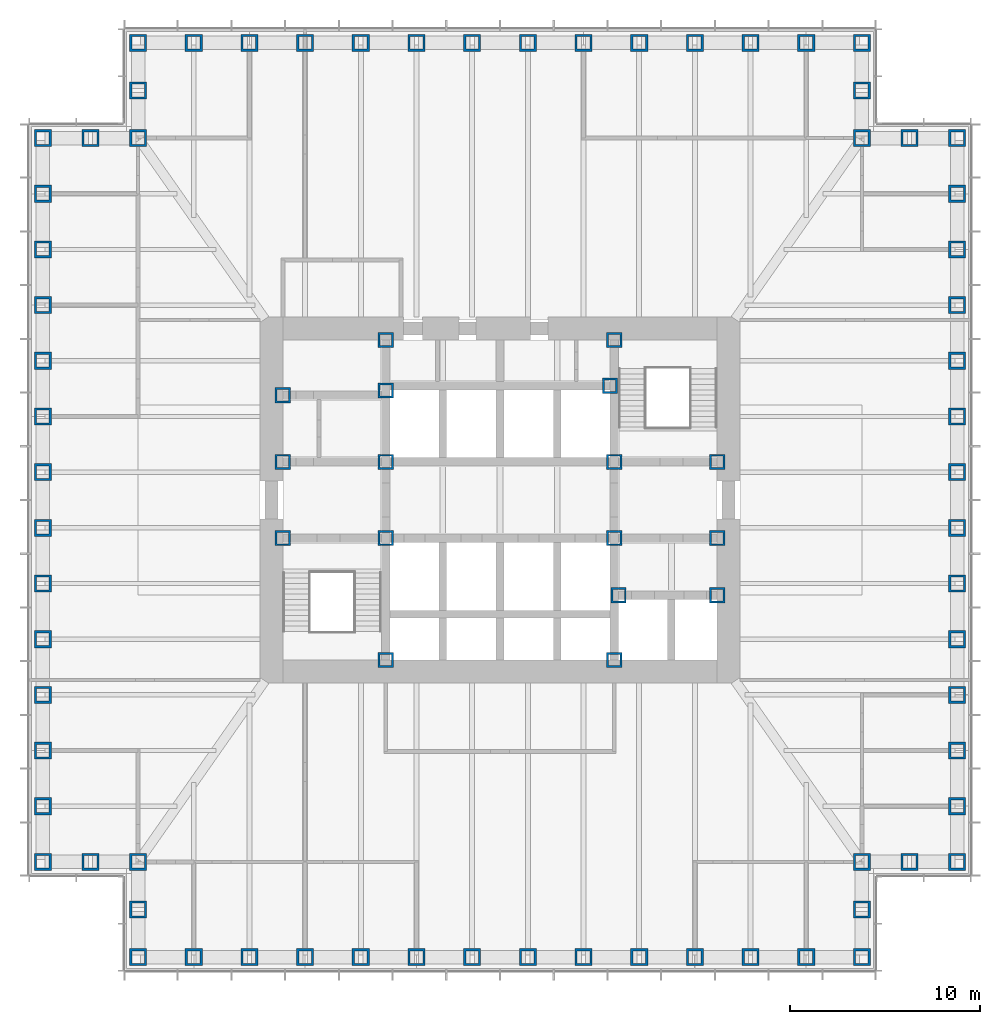
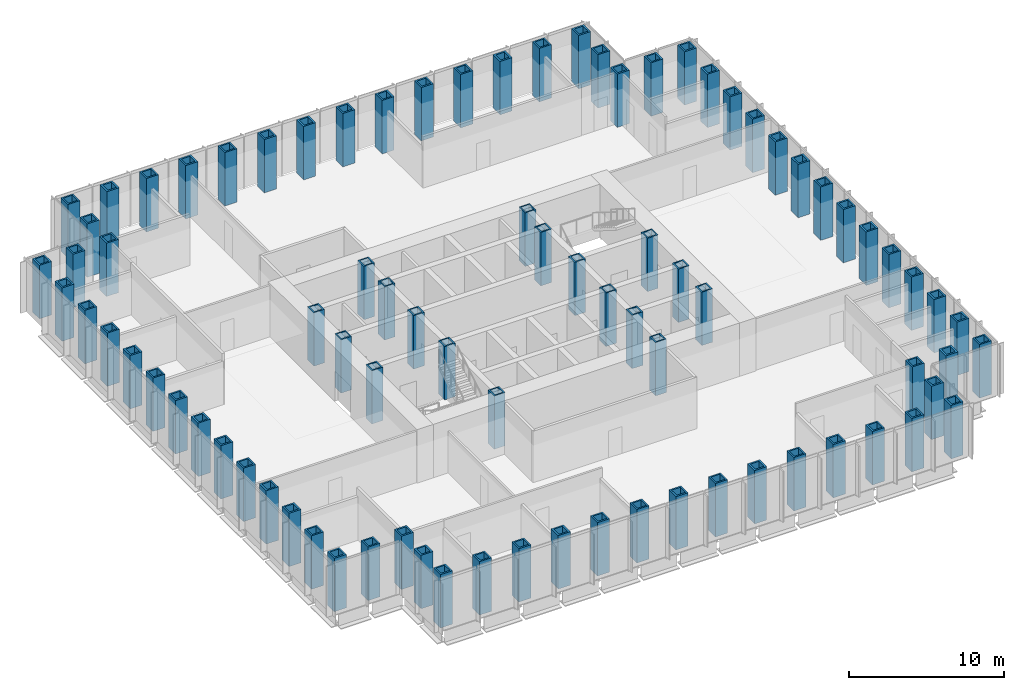
# One storey, part 1 of 17: 85 columns.
"""IFC4 building model written with IfcOpenShell, lengths in metres."""

from ifc_helpers import new_model, si_unit, direction, frame, origin, origin_2d, place, context, subcontext, project, spatial, hollow_rectangle, extrude, material, material_profile, profile_set, type_object, element, save


model = new_model("IFC4")

# Units and contexts
model_context = context("Model", 3, precision=1e-05, world=origin(), true_north=direction((0.0, 1.0)))
body_context = subcontext(model_context, "Body", "Model", "MODEL_VIEW")
ifc_project = project(units=[si_unit("LENGTHUNIT", "METRE"), si_unit("AREAUNIT", "SQUARE_METRE"), si_unit("VOLUMEUNIT", "CUBIC_METRE"), si_unit("PLANEANGLEUNIT", "RADIAN"), si_unit("MASSUNIT", "GRAM", prefix="KILO")], contexts=[model_context])

# Site, building, storey
site_placement = place(None, origin())
site = spatial("IfcSite", under=ifc_project, at=site_placement, CompositionType="ELEMENT")
building_placement = place(site_placement, origin())
building = spatial("IfcBuilding", under=site, at=building_placement, Name="Daluyong Arena Tower", CompositionType="ELEMENT")
storey_placement = place(building_placement, frame((0.0, 0.0, 89.5)))
storey = spatial("IfcBuildingStorey", under=building, at=storey_placement, Name="L19", CompositionType="ELEMENT", Elevation=89.5)

# Columns
ifc_material_1 = material(Name="Steel ASTM A572 Grade 50", Category="steel")
ifc_material_profile_1 = material_profile(ifc_material_1, hollow_rectangle(XDim=0.800048828125, YDim=0.800048828125, WallThickness=0.1, at=origin_2d()))
ifc_profile_set_1 = profile_set([ifc_material_profile_1], Name="Steel ASTM A572 Grade 50")
column_type_1 = type_object("IfcColumnType", Name="Core boundary column BX800X100", PredefinedType="COLUMN", material=ifc_profile_set_1)
for number, where, z_axis, x_axis, name in (
    (1, (44.60009765625, 78.0, 0.0), (0.0, 0.0, 1.0), (1.0, 0.0, 0.0), "core boundary column BC2"),
    (2, (44.60009765625, 82.0, 0.0), (0.0, 0.0, 1.0), (1.0, 0.0, 0.0), "core boundary column BC2"),
    (3, (44.60009765625, 85.5, 0.0), (0.0, 0.0, 1.0), (1.0, 0.0, 0.0), "core boundary column BC2"),
    (4, (50.0, 71.60009765625, 0.0), (0.0, 0.0, 1.0), (1.0, 0.0, 0.0), "core boundary column BC2"),
    (5, (50.0, 78.0, 0.0), (0.0, 0.0, 1.0), (1.0, 0.0, 0.0), "core boundary column BC2"),
    (6, (50.0, 82.0, 0.0), (0.0, 0.0, 1.0), (1.0, 0.0, 0.0), "core boundary column BC2"),
    (7, (50.0, 85.75, 0.0), (0.0, 0.0, 1.0), (1.0, 0.0, 0.0), "core boundary column BC2"),
    (8, (50.0, 88.39990234375, 0.0), (0.0, 0.0, 1.0), (1.0, 0.0, 0.0), "core boundary column BC2"),
    (9, (61.77490234375, 86.0, 0.0), (0.0, 0.0, 1.0), (1.0, 0.0, 0.0), "core boundary column BC2"),
    (10, (62.0, 71.60009765625, 0.0), (0.0, 0.0, 1.0), (1.0, 0.0, 0.0), "core boundary column BC2"),
    (11, (62.0, 78.0, 0.0), (0.0, 0.0, 1.0), (1.0, 0.0, 0.0), "core boundary column BC2"),
    (12, (62.0, 82.0, 0.0), (0.0, 0.0, 1.0), (1.0, 0.0, 0.0), "core boundary column BC2"),
    (13, (62.0, 88.39990234375, 0.0), (0.0, 0.0, 1.0), (1.0, 0.0, 0.0), "core boundary column BC2"),
    (14, (62.22509765625, 75.0, 0.0), (0.0, 0.0, 1.0), (1.0, 0.0, 0.0), "core boundary column BC2"),
    (15, (67.39990234375, 75.0, 0.0), (0.0, 0.0, 1.0), (1.0, 0.0, 0.0), "core boundary column BC2"),
    (16, (67.39990234375, 78.0, 0.0), (0.0, 0.0, 1.0), (1.0, 0.0, 0.0), "core boundary column BC2"),
    (17, (67.39990234375, 82.0, 0.0), (0.0, 0.0, 1.0), (1.0, 0.0, 0.0), "core boundary column BC2"),
):
    element("IfcColumn", number, at=place(storey_placement, frame(where, z_axis=z_axis, x_axis=x_axis)), inside=storey, type_object=column_type_1, Name=name, PredefinedType="COLUMN", context=body_context, shape_type="SweptSolid", body=[
        extrude(hollow_rectangle(XDim=0.800048828125, YDim=0.800048828125, WallThickness=0.1, at=origin_2d()), origin(), (0.0, 0.0, 1.0), 4.199951171875),
    ])
ifc_material_2 = material(Name="Steel ASTM A588 Grade 50", Category="steel")
ifc_material_profile_2 = material_profile(ifc_material_2, hollow_rectangle(XDim=0.89990234375, YDim=0.89990234375, WallThickness=0.12, at=origin_2d()))
ifc_profile_set_2 = profile_set([ifc_material_profile_2], Name="Steel ASTM A588 Grade 50")
column_type_2 = type_object("IfcColumnType", Name="Tube column BX900X120 BX900X120", PredefinedType="COLUMN", material=ifc_profile_set_2)
for number, where, z_axis, x_axis, name in (
    (18, (37.0, 56.0, 0.0), (0.0, 0.0, 1.0), (1.0, 0.0, 0.0), "tube column bx900x120 TC4"),
    (19, (39.923095703125, 56.0, 0.0), (0.0, 0.0, 1.0), (1.0, 0.0, 0.0), "tube column bx900x120 TC4"),
    (20, (42.84619140625, 56.0, 0.0), (0.0, 0.0, 1.0), (1.0, 0.0, 0.0), "tube column bx900x120 TC4"),
    (21, (45.769287109375, 56.0, 0.0), (0.0, 0.0, 1.0), (1.0, 0.0, 0.0), "tube column bx900x120 TC4"),
    (22, (48.6923828125, 56.0, 0.0), (0.0, 0.0, 1.0), (1.0, 0.0, 0.0), "tube column bx900x120 TC4"),
    (23, (51.615478515625, 56.0, 0.0), (0.0, 0.0, 1.0), (1.0, 0.0, 0.0), "tube column bx900x120 TC4"),
    (24, (54.53857421875, 56.0, 0.0), (0.0, 0.0, 1.0), (1.0, 0.0, 0.0), "tube column bx900x120 TC4"),
    (25, (57.46142578125, 56.0, 0.0), (0.0, 0.0, 1.0), (1.0, 0.0, 0.0), "tube column bx900x120 TC4"),
    (26, (60.384521484375, 56.0, 0.0), (0.0, 0.0, 1.0), (1.0, 0.0, 0.0), "tube column bx900x120 TC4"),
    (27, (63.3076171875, 56.0, 0.0), (0.0, 0.0, 1.0), (1.0, 0.0, 0.0), "tube column bx900x120 TC4"),
    (28, (66.230712890625, 56.0, 0.0), (0.0, 0.0, 1.0), (1.0, 0.0, 0.0), "tube column bx900x120 TC4"),
    (29, (69.15380859375, 56.0, 0.0), (0.0, 0.0, 1.0), (1.0, 0.0, 0.0), "tube column bx900x120 TC4"),
    (30, (72.076904296875, 56.0, 0.0), (0.0, 0.0, 1.0), (1.0, 0.0, 0.0), "tube column bx900x120 TC4"),
    (31, (75.0, 56.0, 0.0), (0.0, 0.0, 1.0), (0.0, 1.0, 0.0), "tube column bx900x120 TC4"),
    (32, (75.0, 58.5, 0.0), (0.0, 0.0, 1.0), (0.0, 1.0, 0.0), "tube column bx900x120 TC4"),
    (33, (75.0, 61.0, 0.0), (0.0, 0.0, 1.0), (1.0, 0.0, 0.0), "tube column bx900x120 TC4"),
    (34, (77.5, 61.0, 0.0), (0.0, 0.0, 1.0), (1.0, 0.0, 0.0), "tube column bx900x120 TC4"),
    (35, (80.0, 61.0, 0.0), (0.0, 0.0, 1.0), (0.0, 1.0, 0.0), "tube column bx900x120 TC4"),
    (36, (80.0, 63.923095703125, 0.0), (0.0, 0.0, 1.0), (0.0, 1.0, 0.0), "tube column bx900x120 TC4"),
    (37, (80.0, 66.84619140625, 0.0), (0.0, 0.0, 1.0), (0.0, 1.0, 0.0), "tube column bx900x120 TC4"),
    (38, (80.0, 69.769287109375, 0.0), (0.0, 0.0, 1.0), (0.0, 1.0, 0.0), "tube column bx900x120 TC4"),
    (39, (80.0, 72.6923828125, 0.0), (0.0, 0.0, 1.0), (0.0, 1.0, 0.0), "tube column bx900x120 TC4"),
    (40, (80.0, 75.615478515625, 0.0), (0.0, 0.0, 1.0), (0.0, 1.0, 0.0), "tube column bx900x120 TC4"),
    (41, (80.0, 78.53857421875, 0.0), (0.0, 0.0, 1.0), (0.0, 1.0, 0.0), "tube column bx900x120 TC4"),
    (42, (80.0, 81.46142578125, 0.0), (0.0, 0.0, 1.0), (0.0, 1.0, 0.0), "tube column bx900x120 TC4"),
    (43, (80.0, 84.384521484375, 0.0), (0.0, 0.0, 1.0), (0.0, 1.0, 0.0), "tube column bx900x120 TC4"),
    (44, (80.0, 87.3076171875, 0.0), (0.0, 0.0, 1.0), (0.0, 1.0, 0.0), "tube column bx900x120 TC4"),
    (45, (80.0, 90.230712890625, 0.0), (0.0, 0.0, 1.0), (0.0, 1.0, 0.0), "tube column bx900x120 TC4"),
    (46, (80.0, 93.15380859375, 0.0), (0.0, 0.0, 1.0), (0.0, 1.0, 0.0), "tube column bx900x120 TC4"),
    (47, (80.0, 96.076904296875, 0.0), (0.0, 0.0, 1.0), (0.0, 1.0, 0.0), "tube column bx900x120 TC4"),
    (48, (80.0, 99.0, 0.0), (0.0, 0.0, 1.0), (1.0, 0.0, 0.0), "tube column bx900x120 TC4"),
    (49, (77.5, 99.0, 0.0), (0.0, 0.0, 1.0), (1.0, 0.0, 0.0), "tube column bx900x120 TC4"),
    (50, (75.0, 99.0, 0.0), (0.0, 0.0, 1.0), (0.0, 1.0, 0.0), "tube column bx900x120 TC4"),
    (51, (75.0, 101.5, 0.0), (0.0, 0.0, 1.0), (0.0, 1.0, 0.0), "tube column bx900x120 TC4"),
    (52, (75.0, 104.0, 0.0), (0.0, 0.0, 1.0), (1.0, 0.0, 0.0), "tube column bx900x120 TC4"),
    (53, (72.076904296875, 104.0, 0.0), (0.0, 0.0, 1.0), (1.0, 0.0, 0.0), "tube column bx900x120 TC4"),
    (54, (69.15380859375, 104.0, 0.0), (0.0, 0.0, 1.0), (1.0, 0.0, 0.0), "tube column bx900x120 TC4"),
    (55, (66.230712890625, 104.0, 0.0), (0.0, 0.0, 1.0), (1.0, 0.0, 0.0), "tube column bx900x120 TC4"),
    (56, (63.3076171875, 104.0, 0.0), (0.0, 0.0, 1.0), (1.0, 0.0, 0.0), "tube column bx900x120 TC4"),
    (57, (60.384521484375, 104.0, 0.0), (0.0, 0.0, 1.0), (1.0, 0.0, 0.0), "tube column bx900x120 TC4"),
    (58, (57.46142578125, 104.0, 0.0), (0.0, 0.0, 1.0), (1.0, 0.0, 0.0), "tube column bx900x120 TC4"),
    (59, (54.53857421875, 104.0, 0.0), (0.0, 0.0, 1.0), (1.0, 0.0, 0.0), "tube column bx900x120 TC4"),
    (60, (51.615478515625, 104.0, 0.0), (0.0, 0.0, 1.0), (1.0, 0.0, 0.0), "tube column bx900x120 TC4"),
    (61, (48.6923828125, 104.0, 0.0), (0.0, 0.0, 1.0), (1.0, 0.0, 0.0), "tube column bx900x120 TC4"),
    (62, (45.769287109375, 104.0, 0.0), (0.0, 0.0, 1.0), (1.0, 0.0, 0.0), "tube column bx900x120 TC4"),
    (63, (42.84619140625, 104.0, 0.0), (0.0, 0.0, 1.0), (1.0, 0.0, 0.0), "tube column bx900x120 TC4"),
    (64, (39.923095703125, 104.0, 0.0), (0.0, 0.0, 1.0), (1.0, 0.0, 0.0), "tube column bx900x120 TC4"),
    (65, (37.0, 104.0, 0.0), (0.0, 0.0, 1.0), (0.0, 1.0, 0.0), "tube column bx900x120 TC4"),
    (66, (37.0, 101.5, 0.0), (0.0, 0.0, 1.0), (0.0, 1.0, 0.0), "tube column bx900x120 TC4"),
    (67, (37.0, 99.0, 0.0), (0.0, 0.0, 1.0), (1.0, 0.0, 0.0), "tube column bx900x120 TC4"),
    (68, (34.5, 99.0, 0.0), (0.0, 0.0, 1.0), (1.0, 0.0, 0.0), "tube column bx900x120 TC4"),
    (69, (32.0, 99.0, 0.0), (0.0, 0.0, 1.0), (0.0, 1.0, 0.0), "tube column bx900x120 TC4"),
    (70, (32.0, 96.076904296875, 0.0), (0.0, 0.0, 1.0), (0.0, 1.0, 0.0), "tube column bx900x120 TC4"),
    (71, (32.0, 93.15380859375, 0.0), (0.0, 0.0, 1.0), (0.0, 1.0, 0.0), "tube column bx900x120 TC4"),
    (72, (32.0, 90.230712890625, 0.0), (0.0, 0.0, 1.0), (0.0, 1.0, 0.0), "tube column bx900x120 TC4"),
    (73, (32.0, 87.3076171875, 0.0), (0.0, 0.0, 1.0), (0.0, 1.0, 0.0), "tube column bx900x120 TC4"),
    (74, (32.0, 84.384521484375, 0.0), (0.0, 0.0, 1.0), (0.0, 1.0, 0.0), "tube column bx900x120 TC4"),
    (75, (32.0, 81.46142578125, 0.0), (0.0, 0.0, 1.0), (0.0, 1.0, 0.0), "tube column bx900x120 TC4"),
    (76, (32.0, 78.53857421875, 0.0), (0.0, 0.0, 1.0), (0.0, 1.0, 0.0), "tube column bx900x120 TC4"),
    (77, (32.0, 75.615478515625, 0.0), (0.0, 0.0, 1.0), (0.0, 1.0, 0.0), "tube column bx900x120 TC4"),
    (78, (32.0, 72.6923828125, 0.0), (0.0, 0.0, 1.0), (0.0, 1.0, 0.0), "tube column bx900x120 TC4"),
    (79, (32.0, 69.769287109375, 0.0), (0.0, 0.0, 1.0), (0.0, 1.0, 0.0), "tube column bx900x120 TC4"),
    (80, (32.0, 66.84619140625, 0.0), (0.0, 0.0, 1.0), (0.0, 1.0, 0.0), "tube column bx900x120 TC4"),
    (81, (32.0, 63.923095703125, 0.0), (0.0, 0.0, 1.0), (0.0, 1.0, 0.0), "tube column bx900x120 TC4"),
    (82, (32.0, 61.0, 0.0), (0.0, 0.0, 1.0), (1.0, 0.0, 0.0), "tube column bx900x120 TC4"),
    (83, (34.5, 61.0, 0.0), (0.0, 0.0, 1.0), (1.0, 0.0, 0.0), "tube column bx900x120 TC4"),
    (84, (37.0, 61.0, 0.0), (0.0, 0.0, 1.0), (0.0, 1.0, 0.0), "tube column bx900x120 TC4"),
    (85, (37.0, 58.5, 0.0), (0.0, 0.0, 1.0), (0.0, 1.0, 0.0), "tube column bx900x120 TC4"),
):
    element("IfcColumn", number, at=place(storey_placement, frame(where, z_axis=z_axis, x_axis=x_axis)), inside=storey, type_object=column_type_2, Name=name, PredefinedType="COLUMN", context=body_context, shape_type="SweptSolid", body=[
        extrude(hollow_rectangle(XDim=0.89990234375, YDim=0.89990234375, WallThickness=0.12, at=origin_2d()), origin(), (0.0, 0.0, 1.0), 4.199951171875),
    ])

save(model, "model.ifc")
